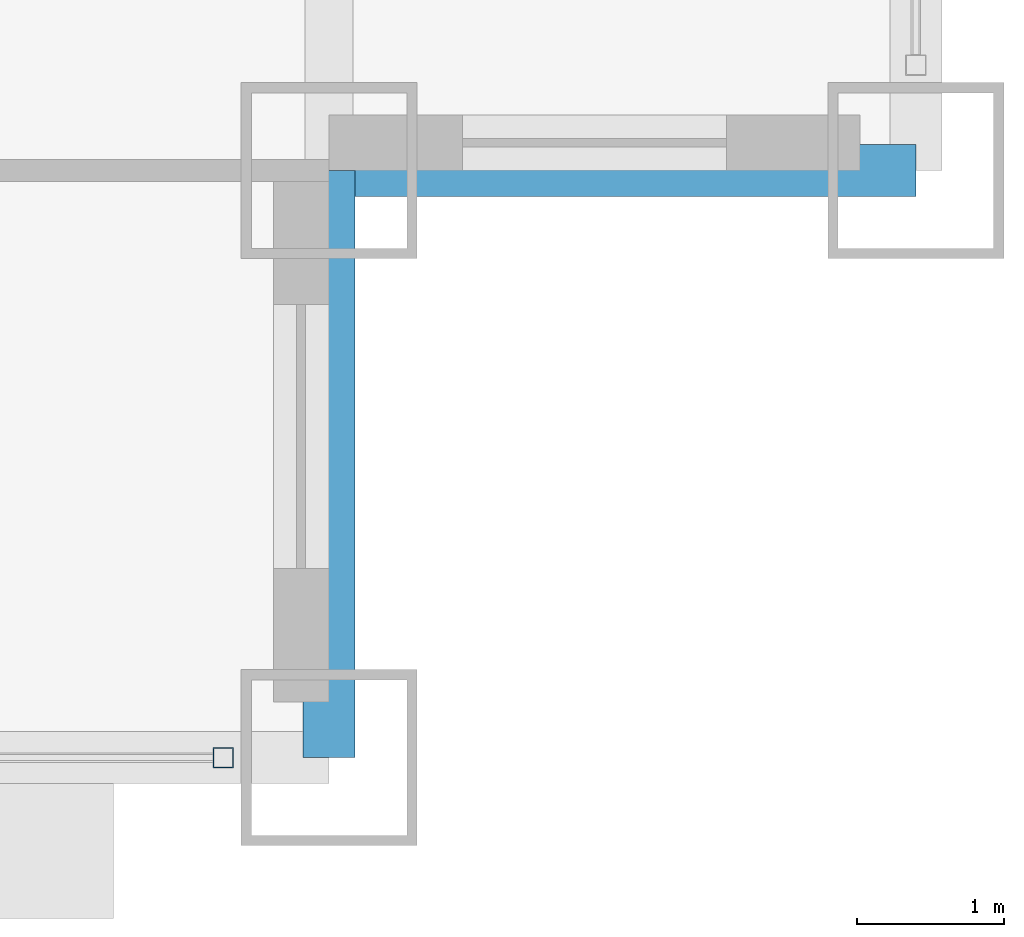
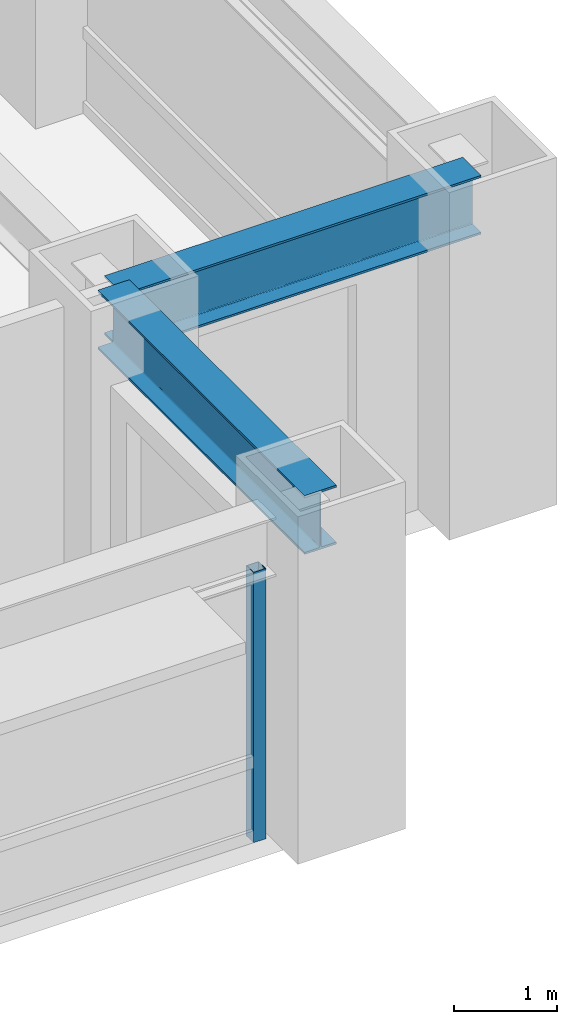
# One storey, part 6 of 32: 2 beams, 1 member, 1 element without a shape of its own.
"""IFC4 building model written with IfcOpenShell, lengths in metres."""

from ifc_helpers import new_model, si_unit, direction, frame, origin, origin_2d, place, context, subcontext, project, spatial, hollow_rectangle, i_section, extrude, source, transform, mapped, material, material_profile, profile_set, type_object, element, aggregate, save


model = new_model("IFC4")

# Units and contexts
model_context = context("Model", 3, precision=1e-05, world=origin(), true_north=direction((0.0, 1.0)))
body_context = subcontext(model_context, "Body", "Model", "MODEL_VIEW")
ifc_project = project(units=[si_unit("LENGTHUNIT", "METRE"), si_unit("AREAUNIT", "SQUARE_METRE"), si_unit("VOLUMEUNIT", "CUBIC_METRE"), si_unit("PLANEANGLEUNIT", "RADIAN"), si_unit("MASSUNIT", "GRAM", prefix="KILO")], contexts=[model_context])

# Site, building, storey
site_placement = place(None, origin())
site = spatial("IfcSite", under=ifc_project, at=site_placement, CompositionType="ELEMENT")
building_placement = place(site_placement, origin())
building = spatial("IfcBuilding", under=site, at=building_placement, Name="Khorayat Bourse Tower", CompositionType="ELEMENT")
storey_placement = place(building_placement, frame((0.0, 0.0, 91.39990234375)))
storey = spatial("IfcBuildingStorey", under=building, at=storey_placement, Name="L20", CompositionType="ELEMENT", Elevation=91.39990234375)

# Beams
ifc_material_1 = material(Name="Steel ASTM A992 Grade 50", Category="steel")
ifc_material_profile_1 = material_profile(ifc_material_1, i_section(OverallWidth=0.35498046875, OverallDepth=0.695068359375, WebThickness=0.015380859375, FlangeThickness=0.02490234375, FilletRadius=0.01806640625, at=origin_2d()), Name="W690X217")
ifc_profile_set_1 = profile_set([ifc_material_profile_1], Name="Steel ASTM A992 Grade 50")
beam_type = type_object("IfcBeamType", Name="BM-SPAN-690", PredefinedType="SPANDREL", material=ifc_profile_set_1)
shared_shape_1 = source(origin(), body_context, "Body", "SweptSolid", [
    extrude(i_section(OverallWidth=0.35498046875, OverallDepth=0.695068359375, WebThickness=0.015380859375, FlangeThickness=0.02490234375, FilletRadius=0.01806640625, at=origin_2d()), origin(), (0.0, 0.0, 1.0), 4.0),
])
for number, where, z_axis, x_axis, name in (
    (1, (28.0, -32.0, 3.49267578125), (0.0, 1.0, 0.0), (-1.0, 0.0, 0.0), "L20 BM-SPAN-690 BM-L20-SPN-032"),
    (2, (28.0, -28.0, 3.49267578125), (1.0, 0.0, 0.0), (0.0, 1.0, 0.0), "L20 BM-SPAN-690 BM-L20-SPN-033"),
):
    element("IfcBeam", number, at=place(storey_placement, frame(where, z_axis=z_axis, x_axis=x_axis)), inside=storey, type_object=beam_type, Name=name, PredefinedType="SPANDREL", context=body_context, shape_type="MappedRepresentation", body=[
        mapped(shared_shape_1, transform((0.0, 0.0, 0.0), scale=1.0)),
    ])

# Curtain wall, member
ifc_material_2 = material(Name="Aluminium EN AW-6063 T6", Category="aluminium")
curtain_wall_type = type_object("IfcCurtainWallType", Name="CW-SYS-02", PredefinedType="NOTDEFINED", material=ifc_material_2)
curtain_wall_placement = place(storey_placement, origin())
curtain_wall = element("IfcCurtainWall", 3, at=curtain_wall_placement, inside=storey, type_object=curtain_wall_type, Name="L20 Curtain Wall CW-L20-S1", PredefinedType="NOTDEFINED")
ifc_material_profile_2 = material_profile(ifc_material_2, hollow_rectangle(XDim=0.139892578125, YDim=0.139892578125, WallThickness=0.006103515625, at=origin_2d()), Name="ALU 140x140x6")
ifc_profile_set_2 = profile_set([ifc_material_profile_2], Name="Aluminium EN AW-6063 T6")
member_type = type_object("IfcMemberType", Name="CWM-VERT-140", PredefinedType="MULLION", material=ifc_profile_set_2)
shared_shape_2 = source(origin(), body_context, "Body", "SweptSolid", [
    extrude(hollow_rectangle(XDim=0.139892578125, YDim=0.139892578125, WallThickness=0.006103515625, at=origin_2d()), origin(), (0.0, 0.0, 1.0), 3.190185546875),
])
member_placement = place(storey_placement, frame((27.280029296875, -32.0, 0.0), z_axis=(0.0, 0.0, 1.0), x_axis=(0.0, 1.0, 0.0)))
member = element("IfcMember", 4, at=member_placement, type_object=member_type, Name="CW-L20-S1 Vertical Mullion 3", PredefinedType="MULLION", context=body_context, shape_type="MappedRepresentation", body=[
    mapped(shared_shape_2, transform((0.0, 0.0, 0.0), scale=1.0)),
])
aggregate(curtain_wall, [member])

save(model, "model.ifc")
